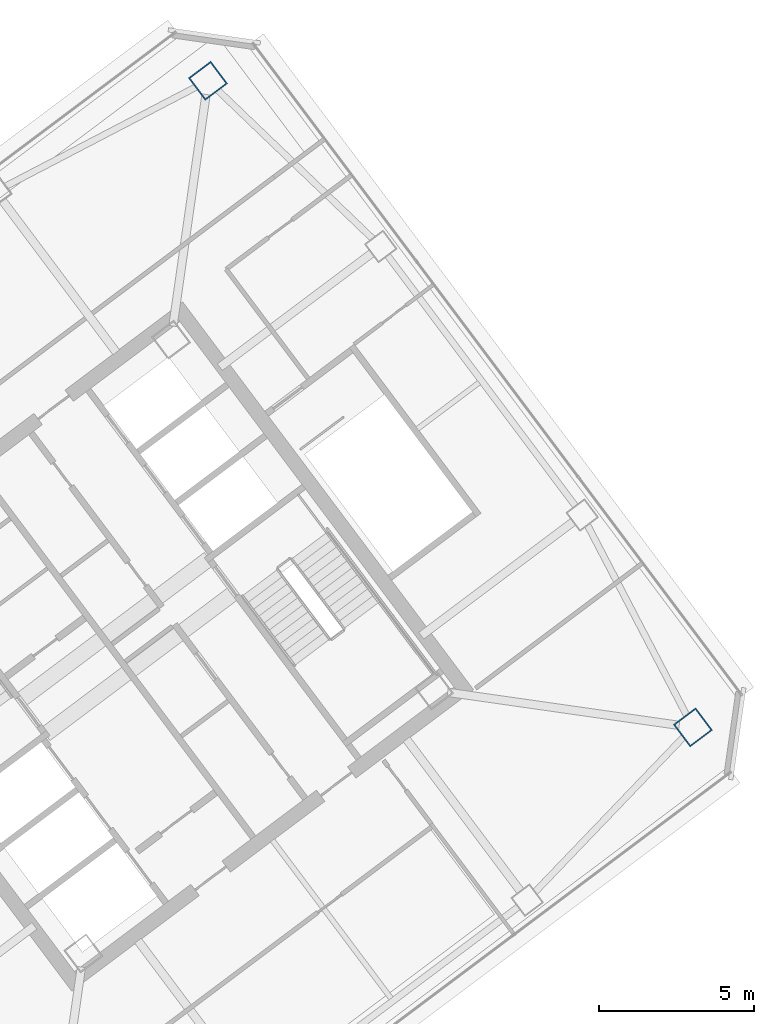
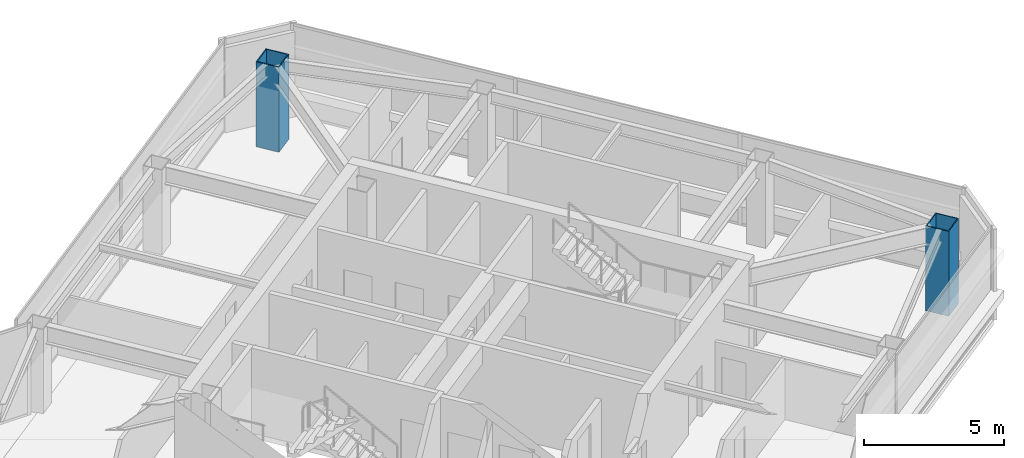
# One storey, part 2 of 51: 2 columns.
"""IFC4 building model written with IfcOpenShell, lengths in metres."""

from ifc_helpers import new_model, si_unit, direction, frame, origin, origin_2d, place, context, subcontext, project, spatial, hollow_rectangle, extrude, material, material_profile, profile_set, type_object, element, save


model = new_model("IFC4")

# Units and contexts
model_context = context("Model", 3, precision=1e-05, world=origin(), true_north=direction((0.0, 1.0)))
body_context = subcontext(model_context, "Body", "Model", "MODEL_VIEW")
ifc_project = project(units=[si_unit("LENGTHUNIT", "METRE"), si_unit("AREAUNIT", "SQUARE_METRE"), si_unit("VOLUMEUNIT", "CUBIC_METRE"), si_unit("PLANEANGLEUNIT", "RADIAN"), si_unit("MASSUNIT", "GRAM", prefix="KILO")], contexts=[model_context])

# Site, building, storey
site_placement = place(None, origin())
site = spatial("IfcSite", under=ifc_project, at=site_placement, CompositionType="ELEMENT")
building_placement = place(site_placement, origin())
building = spatial("IfcBuilding", under=site, at=building_placement, Name="Tashvorn Skyway Center", CompositionType="ELEMENT")
storey_placement = place(building_placement, frame((0.0, 0.0, 259.39990234375)))
storey = spatial("IfcBuildingStorey", under=building, at=storey_placement, Name="L70", CompositionType="ELEMENT", Elevation=259.39990234375)

# Columns
ifc_material = material(Name="Steel ASTM A572 Grade 50", Category="steel")
ifc_material_profile = material_profile(ifc_material, hollow_rectangle(XDim=0.89990234375, YDim=0.89990234375, WallThickness=0.0400390625, at=origin_2d()), Name="BOX900x900x40")
ifc_profile_set = profile_set([ifc_material_profile], Name="Steel ASTM A572 Grade 50")
column_type = type_object("IfcColumnType", Name="COL-BOX900x900x40", PredefinedType="COLUMN", material=ifc_profile_set)
for number, where, z_axis, x_axis, name in (
    (1, (132.199951171875, 29.39990234375, 0.0), (0.0, 0.0, 1.0), (0.799999996291, 0.600000004945, 0.0), "Tower 2 L70 Mega-Column MC-SE"),
    (2, (116.60009765625, 50.199951171875, 0.0), (0.0, 0.0, 1.0), (0.799999996291, 0.600000004945, 0.0), "Tower 2 L70 Mega-Column MC-NE"),
):
    element("IfcColumn", number, at=place(storey_placement, frame(where, z_axis=z_axis, x_axis=x_axis)), inside=storey, type_object=column_type, Name=name, PredefinedType="COLUMN", context=body_context, shape_type="SweptSolid", body=[
        extrude(hollow_rectangle(XDim=0.89990234375, YDim=0.89990234375, WallThickness=0.0400390625, at=origin_2d()), origin(), (0.0, 0.0, 1.0), 3.7001953125),
    ])

save(model, "model.ifc")
